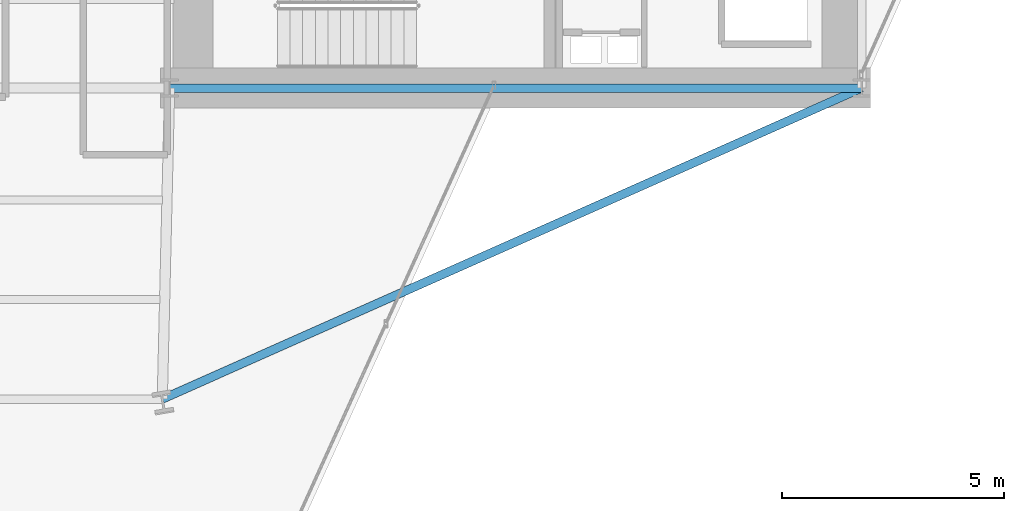
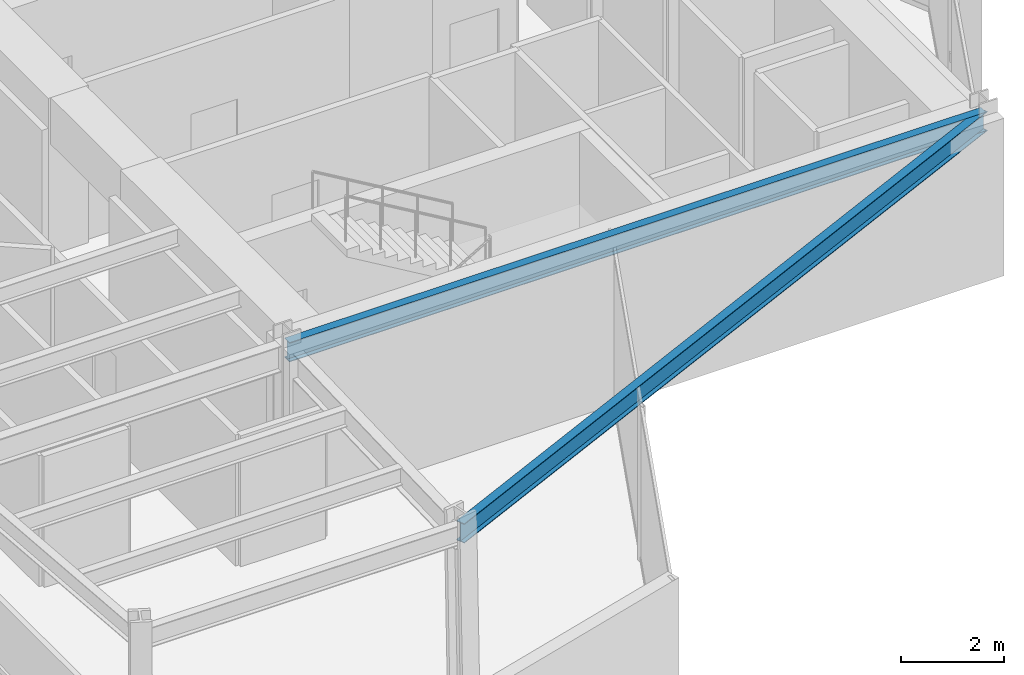
# One storey, part 11 of 25: 2 beams.
"""IFC4 building model written with IfcOpenShell, lengths in metres."""

from ifc_helpers import new_model, si_unit, direction, frame, origin, origin_2d, place, context, subcontext, project, spatial, i_section, extrude, material, material_profile, profile_set, type_object, element, save


model = new_model("IFC4")

# Units and contexts
model_context = context("Model", 3, precision=1e-05, world=origin(), true_north=direction((0.0, 1.0)))
body_context = subcontext(model_context, "Body", "Model", "MODEL_VIEW")
ifc_project = project(units=[si_unit("LENGTHUNIT", "METRE"), si_unit("AREAUNIT", "SQUARE_METRE"), si_unit("VOLUMEUNIT", "CUBIC_METRE"), si_unit("PLANEANGLEUNIT", "RADIAN"), si_unit("MASSUNIT", "GRAM", prefix="KILO")], contexts=[model_context])

# Site, building, storey
site_placement = place(None, origin())
site = spatial("IfcSite", under=ifc_project, at=site_placement, CompositionType="ELEMENT")
building_placement = place(site_placement, origin())
building = spatial("IfcBuilding", under=site, at=building_placement, Name="Veymaron Broadcast Tower", CompositionType="ELEMENT")
storey_placement = place(building_placement, frame((0.0, 0.0, 102.60009765625)))
storey = spatial("IfcBuildingStorey", under=building, at=storey_placement, Name="L23", CompositionType="ELEMENT", Elevation=102.60009765625)

# Beams
ifc_material = material(Name="Structural steel ASTM A992 Gr 50", Category="steel")
ifc_material_profile = material_profile(ifc_material, i_section(OverallWidth=0.19091796875, OverallDepth=0.4599609375, WebThickness=0.010009765625, FlangeThickness=0.01611328125, at=origin_2d()), Name="W460X82")
ifc_profile_set = profile_set([ifc_material_profile], Name="Structural steel ASTM A992 Gr 50")
beam_type = type_object("IfcBeamType", Name="BM-SP1", PredefinedType="SPANDREL", material=ifc_profile_set)
beam_1_placement = place(storey_placement, frame((39.0, 16.0, 3.5), z_axis=(1.0, 0.0, 0.0), x_axis=(0.0, 1.0, 0.0)))
element("IfcBeam", 1, at=beam_1_placement, inside=storey, type_object=beam_type, Name="L23 primary structural floor girder", PredefinedType="SPANDREL", context=body_context, shape_type="SweptSolid", body=[
    extrude(i_section(OverallWidth=0.19091796875, OverallDepth=0.4599609375, WebThickness=0.010009765625, FlangeThickness=0.01611328125, at=origin_2d()), origin(), (0.0, 0.0, 1.0), 15.60009765625),
])
beam_2_placement = place(storey_placement, frame((54.60009765625, 16.0, 3.5), z_axis=(-0.913740929233, -0.406297322468, 0.0), x_axis=(0.406297322468, -0.913740929233, 0.0)))
element("IfcBeam", 2, at=beam_2_placement, inside=storey, type_object=beam_type, Name="L23 primary structural floor girder", PredefinedType="SPANDREL", context=body_context, shape_type="SweptSolid", body=[
    extrude(i_section(OverallWidth=0.19091796875, OverallDepth=0.4599609375, WebThickness=0.010009765625, FlangeThickness=0.01611328125, at=origin_2d()), origin(), (0.0, 0.0, 1.0), 17.25341796875),
])

save(model, "model.ifc")
